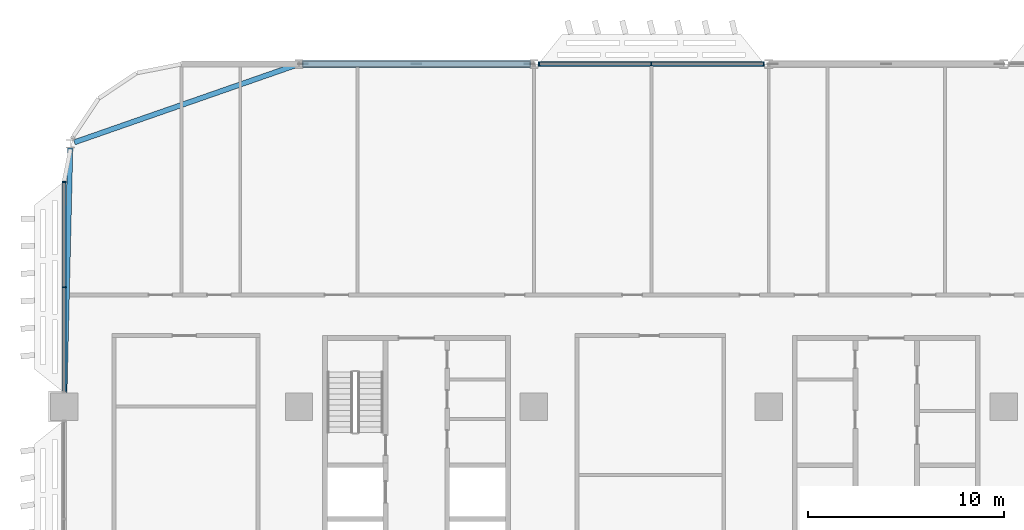
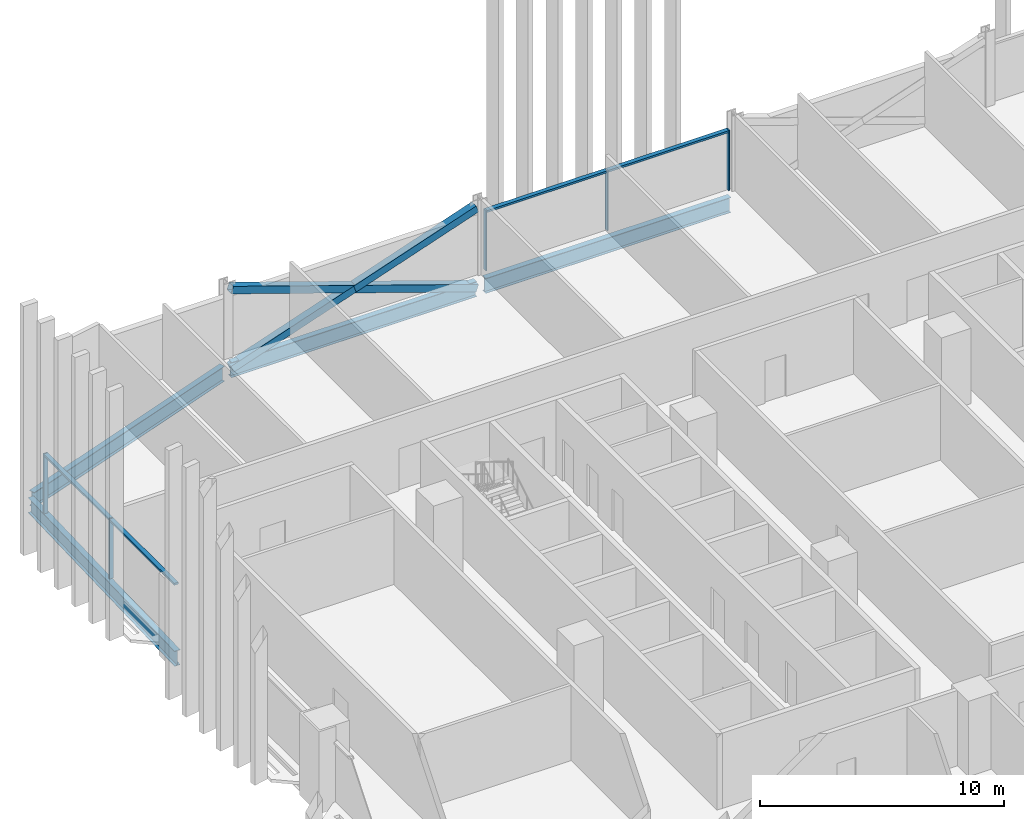
# One storey, part 6 of 31: 12 members, 4 beams, 2 elements without a shape of their own.
"""IFC4 building model written with IfcOpenShell, lengths in metres."""

import ifcopenshell
import ifcopenshell.guid

model = None  # the IFC model being written
_history = None  # IfcOwnerHistory: only IFC2X3 demands one
_inside = {}  # id of a spatial element -> (the spatial element, [elements in it])
_under = {}  # id of a project, library or spatial element -> (it, [spatial elements below it])
_declared = {}  # id of a project -> (the project, [libraries it declares])
_typed = {}  # id of a type object -> (the type object, [elements of that type])
_made_of = {}  # id of a material, layer set ... -> (it, [elements and type objects made of it])


def new_model(schema):
    """Start an empty IFC model of exactly this schema.

    Asked for "IFC4X3", IfcOpenShell would pick the latest addendum, in which some entities
    have other attributes; the version numbers below select the first issue.
    IFC2X3 requires an IfcOwnerHistory on every rooted entity: one is made here for all.
    """
    global model, _history
    if schema == "IFC4X3":
        model = ifcopenshell.file(schema_version=(4, 3, 0, 0))
    else:
        model = ifcopenshell.file(schema=schema)
    _inside.clear()
    _under.clear()
    _declared.clear()
    _typed.clear()
    _made_of.clear()
    _history = None
    if model.schema == "IFC2X3":
        org = make("IfcOrganization", Name="unknown")
        user = make(
            "IfcPersonAndOrganization",
            ThePerson=make("IfcPerson", FamilyName="unknown"),
            TheOrganization=org,
        )
        app = make(
            "IfcApplication",
            ApplicationDeveloper=org,
            Version="unknown",
            ApplicationFullName="unknown",
            ApplicationIdentifier="unknown",
        )
        _history = make(
            "IfcOwnerHistory",
            OwningUser=user,
            OwningApplication=app,
            ChangeAction="ADDED",
            CreationDate=0,
        )
    return model


def make(cls, **values):
    """One entity of the class cls with the attributes given. An attribute that is None is left unset."""
    return model.create_entity(
        cls, **{name: value for name, value in values.items() if value is not None}
    )


def rooted(cls, **values):
    """An entity with a GlobalId (a new one), such as an element, a storey or a relation."""
    return make(cls, GlobalId=ifcopenshell.guid.new(), OwnerHistory=_history, **values)


def si_unit(unit_type, name, prefix=None):
    """IfcSIUnit, for example si_unit("LENGTHUNIT", "METRE", prefix="MILLI")."""
    return make("IfcSIUnit", UnitType=unit_type, Prefix=prefix, Name=name)


def assignment(units):
    """IfcUnitAssignment: the units of a project."""
    return None if units is None else make("IfcUnitAssignment", Units=units)


def point(xyz):
    """IfcCartesianPoint."""
    return None if xyz is None else make("IfcCartesianPoint", Coordinates=xyz)


def direction(xyz):
    """IfcDirection."""
    return None if xyz is None else make("IfcDirection", DirectionRatios=xyz)


def frame(location, z_axis=None, x_axis=None):
    """IfcAxis2Placement3D, a coordinate frame: its origin and axes. An axis left out is left unset."""
    return make(
        "IfcAxis2Placement3D",
        Location=point(location),
        Axis=direction(z_axis),
        RefDirection=direction(x_axis),
    )


def frame_2d(location, x_axis=None):
    """IfcAxis2Placement2D, a coordinate frame in the plane: its origin and x axis."""
    return make(
        "IfcAxis2Placement2D", Location=point(location), RefDirection=direction(x_axis)
    )


def origin():
    """The frame at (0, 0, 0) with its axes left unset."""
    return frame((0.0, 0.0, 0.0))


def origin_2d():
    """The frame at (0, 0) in the plane with its x axis left unset."""
    return frame_2d((0.0, 0.0))


def place(relative_to, where):
    """IfcLocalPlacement: puts the frame where relative to a parent placement (None: the world)."""
    return make(
        "IfcLocalPlacement", PlacementRelTo=relative_to, RelativePlacement=where
    )


def context(
    kind, dimensions, precision=None, world=None, true_north=None, identifier=None
):
    """IfcGeometricRepresentationContext, for example the 3D "Model" context."""
    return make(
        "IfcGeometricRepresentationContext",
        ContextIdentifier=identifier,
        ContextType=kind,
        CoordinateSpaceDimension=dimensions,
        Precision=precision,
        WorldCoordinateSystem=world,
        TrueNorth=true_north,
    )


def subcontext(parent, identifier, kind, view, scale=None):
    """IfcGeometricRepresentationSubContext, for example "Body" below "Model"."""
    return make(
        "IfcGeometricRepresentationSubContext",
        ContextIdentifier=identifier,
        ContextType=kind,
        ParentContext=parent,
        TargetScale=scale,
        TargetView=view,
    )


def project(units=None, contexts=None):
    """IfcProject with its units and contexts."""
    return rooted(
        "IfcProject",
        Name="project",
        RepresentationContexts=contexts,
        UnitsInContext=assignment(units),
    )


def spatial(cls, under=None, at=None, **own):
    """A site, building, storey or space (cls), placed at a placement, below another one or the project."""
    s = rooted(cls, ObjectPlacement=at, **own)
    if under is not None:
        _under.setdefault(under.id(), (under, []))[1].append(s)
    return s


def profile(cls, at=None, kind="AREA", **sizes):
    """A parametric profile (cls). Its sizes go by their IFC names, for example OverallWidth=200.0."""
    return make(cls, ProfileType=kind, Position=at, **sizes)


def rectangle(**sizes):
    """IfcRectangleProfileDef."""
    return profile("IfcRectangleProfileDef", **sizes)


def hollow_rectangle(**sizes):
    """IfcRectangleHollowProfileDef."""
    return profile("IfcRectangleHollowProfileDef", **sizes)


def i_section(**sizes):
    """IfcIShapeProfileDef."""
    return profile("IfcIShapeProfileDef", **sizes)


def extrude(swept, where, along, depth):
    """IfcExtrudedAreaSolid: the profile swept, set in the frame where, extruded along a direction by depth."""
    return make(
        "IfcExtrudedAreaSolid",
        SweptArea=swept,
        Position=where,
        ExtrudedDirection=direction(along),
        Depth=depth,
    )


def shape(context_of_items, identifier, shape_type, items):
    """IfcShapeRepresentation: the items that make up one representation, for example the "Body"."""
    return make(
        "IfcShapeRepresentation",
        ContextOfItems=context_of_items,
        RepresentationIdentifier=identifier,
        RepresentationType=shape_type,
        Items=items,
    )


def material(Name=None, Category=None):
    """IfcMaterial."""
    return make("IfcMaterial", Name=Name, Category=Category)


def material_profile(
    of_material, cross_section, Name=None, Category=None, Priority=None
):
    """IfcMaterialProfile: a cross section and its material."""
    return make(
        "IfcMaterialProfile",
        Name=Name,
        Material=of_material,
        Profile=cross_section,
        Priority=Priority,
        Category=Category,
    )


def profile_set(profiles, Name=None, composite=None):
    """IfcMaterialProfileSet."""
    return make(
        "IfcMaterialProfileSet",
        Name=Name,
        MaterialProfiles=profiles,
        CompositeProfile=composite,
    )


def made_of(thing, what):
    """Note that an element or type object is made of a material, layer set ...; save() writes the relation."""
    if what is not None:
        _made_of.setdefault(what.id(), (what, []))[1].append(thing)
    return thing


def type_object(cls, material=None, **own):
    """A type object (cls), such as IfcWallType, which elements share."""
    return made_of(rooted(cls, **own), material)


def element(
    cls,
    number,
    at=None,
    inside=None,
    cuts=None,
    type_object=None,
    material=None,
    context=None,
    identifier="Body",
    shape_type=None,
    held_by="IfcProductDefinitionShape",
    body=None,
    shapes=None,
    **own,
):
    """One element of the class cls, such as IfcWall. Its Tag is "e" and its number.

    at: its placement. inside: the storey or other place that contains it. cuts: it is an
    opening in that element (IfcRelVoidsElement). A single representation is given by context,
    identifier, shape_type and body (its items); several are given by shapes. held_by: the class
    of the entity that holds the representations. save() writes the other relations.
    """
    e = rooted(cls, Tag="e%d" % number, ObjectPlacement=at, **own)
    if body is not None:
        shapes = [shape(context, identifier, shape_type, body)]
    if shapes is not None:
        e.Representation = make(held_by, Representations=shapes)
    if inside is not None:
        _inside.setdefault(inside.id(), (inside, []))[1].append(e)
    if cuts is not None:
        rooted(
            "IfcRelVoidsElement", RelatingBuildingElement=cuts, RelatedOpeningElement=e
        )
    if type_object is not None:
        _typed.setdefault(type_object.id(), (type_object, []))[1].append(e)
    return made_of(e, material)


def aggregate(whole, parts):
    """IfcRelAggregates: a whole, such as a stair, and the parts it consists of."""
    return rooted("IfcRelAggregates", RelatingObject=whole, RelatedObjects=parts)


def save(model, path):
    """Write the relations noted so far, then the file.

    IfcRelAggregates (storeys below a building ...), IfcRelContainedInSpatialStructure (elements
    in a storey), IfcRelDefinesByType, IfcRelAssociatesMaterial and IfcRelDeclares: one each for
    every whole, place, type object, material and project.
    """
    for whole, parts in _under.values():
        aggregate(whole, parts)
    for where, things in _inside.values():
        rooted(
            "IfcRelContainedInSpatialStructure",
            RelatedElements=things,
            RelatingStructure=where,
        )
    for kind, things in _typed.values():
        rooted("IfcRelDefinesByType", RelatedObjects=things, RelatingType=kind)
    for what, things in _made_of.values():
        rooted("IfcRelAssociatesMaterial", RelatedObjects=things, RelatingMaterial=what)
    for by, libraries in _declared.values():
        rooted("IfcRelDeclares", RelatingContext=by, RelatedDefinitions=libraries)
    model.write(path)


model = new_model("IFC4")

# Units and contexts
model_context = context("Model", 3, precision=1e-05, world=origin(), true_north=direction((0.0, 1.0)))
body_context = subcontext(model_context, "Body", "Model", "MODEL_VIEW")
ifc_project = project(units=[si_unit("LENGTHUNIT", "METRE"), si_unit("AREAUNIT", "SQUARE_METRE"), si_unit("VOLUMEUNIT", "CUBIC_METRE"), si_unit("PLANEANGLEUNIT", "RADIAN"), si_unit("MASSUNIT", "GRAM", prefix="KILO")], contexts=[model_context])

# Site, building, storey
site_placement = place(None, origin())
site = spatial("IfcSite", under=ifc_project, at=site_placement, CompositionType="ELEMENT")
building_placement = place(site_placement, origin())
building = spatial("IfcBuilding", under=site, at=building_placement, Name="Mahtab Terrace Research Tower", CompositionType="ELEMENT")
storey_placement = place(building_placement, frame((0.0, 0.0, 101.199951171875)))
storey = spatial("IfcBuildingStorey", under=building, at=storey_placement, Name="L23", CompositionType="ELEMENT", Elevation=101.199951171875)

# Members
ifc_material_1 = material(Name="Steel ASTM A500 Gr C", Category="steel")
ifc_material_profile_1 = material_profile(ifc_material_1, hollow_rectangle(XDim=0.355712890625, YDim=0.355712890625, WallThickness=0.01904296875, at=origin_2d()), Name="HSS14X14X3/4")
ifc_profile_set_1 = profile_set([ifc_material_profile_1], Name="Steel ASTM A500 Gr C")
member_type_1 = type_object("IfcMemberType", Name="HSS 14x14x3/4 brace XB141434", PredefinedType="BRACE", material=ifc_profile_set_1)
member_1_placement = place(storey_placement, frame((-18.20947265625, 29.0, -0.646728515625), z_axis=(-0.946292853795, 0.0, 0.323310740397), x_axis=(0.0, -1.0, 0.0)))
element("IfcMember", 1, at=member_1_placement, inside=storey, type_object=member_type_1, Name="Exoskeleton brace L23 07 a", PredefinedType="BRACE", context=body_context, shape_type="SweptSolid", body=[
    extrude(hollow_rectangle(XDim=0.355712890625, YDim=0.355712890625, WallThickness=0.01904296875, at=origin_2d()), origin(), (0.0, 0.0, 1.0), 12.23828125),
])
for number, where, z_axis, x_axis, name in (
    (2, (-29.79052734375, 29.0, -0.646728515625), (0.946298956945, 0.0, 0.323292876639), (0.0, 1.0, 0.0), "Exoskeleton brace L23 07 b1"),
    (3, (-24.0, 29.0, 1.33154296875), (0.946286750388, 0.0, 0.323328603809), (0.0, 1.0, 0.0), "Exoskeleton brace L23 07 b2"),
):
    element("IfcMember", number, at=place(storey_placement, frame(where, z_axis=z_axis, x_axis=x_axis)), inside=storey, type_object=member_type_1, Name=name, PredefinedType="BRACE", context=body_context, shape_type="SweptSolid", body=[
        extrude(hollow_rectangle(XDim=0.355712890625, YDim=0.355712890625, WallThickness=0.01904296875, at=origin_2d()), origin(), (0.0, 0.0, 1.0), 6.119140625),
    ])

# Curtain wall, members
ifc_material_2 = material(Name="Laboratory ribbon curtain wall")
curtain_wall_type = type_object("IfcCurtainWallType", Name="Laboratory ribbon curtain wall", PredefinedType="NOTDEFINED", material=ifc_material_2)
curtain_wall_1_placement = place(storey_placement, origin())
curtain_wall_1 = element("IfcCurtainWall", 4, at=curtain_wall_1_placement, inside=storey, type_object=curtain_wall_type, Name="EN.L23.3.8", PredefinedType="NOTDEFINED")
ifc_material_3 = material(Name="Natural anodised aluminium", Category="aluminium")
ifc_material_profile_2 = material_profile(ifc_material_3, rectangle(XDim=0.199951171875, YDim=0.06494140625, at=origin_2d()), Name="MULLION 65x200")
ifc_profile_set_2 = profile_set([ifc_material_profile_2], Name="Natural anodised aluminium")
member_type_2 = type_object("IfcMemberType", Name="Laboratory ribbon curtain wall mullion", PredefinedType="MULLION", material=ifc_profile_set_2)
member_2_placement = place(storey_placement, frame((-6.260498046875, 29.0, 0.0), z_axis=(0.0, 0.0, 1.0), x_axis=(0.0, -1.0, 0.0)))
member_2 = element("IfcMember", 5, at=member_2_placement, type_object=member_type_2, Name="CWL-3 mullion 1", PredefinedType="MULLION", context=body_context, shape_type="SweptSolid", body=[
    extrude(rectangle(XDim=0.199951171875, YDim=0.06494140625, at=origin_2d()), origin(), (0.0, 0.0, 1.0), 3.003173828125),
])
member_3_placement = place(storey_placement, frame((-12.0, 29.0, 0.0), z_axis=(0.0, 0.0, 1.0), x_axis=(0.0, -1.0, 0.0)))
member_3 = element("IfcMember", 6, at=member_3_placement, type_object=member_type_2, Name="CWL-3 mullion 2", PredefinedType="MULLION", context=body_context, shape_type="SweptSolid", body=[
    extrude(rectangle(XDim=0.199951171875, YDim=0.06494140625, at=origin_2d()), origin(), (0.0, 0.0, 1.0), 3.003173828125),
])
member_4_placement = place(storey_placement, frame((-17.739501953125, 29.0, 0.0), z_axis=(0.0, 0.0, 1.0), x_axis=(0.0, -1.0, 0.0)))
member_4 = element("IfcMember", 7, at=member_4_placement, type_object=member_type_2, Name="CWL-3 mullion 3", PredefinedType="MULLION", context=body_context, shape_type="SweptSolid", body=[
    extrude(rectangle(XDim=0.199951171875, YDim=0.06494140625, at=origin_2d()), origin(), (0.0, 0.0, 1.0), 3.003173828125),
])

curtain_wall_2_placement = place(storey_placement, origin())
curtain_wall_2 = element("IfcCurtainWall", 8, at=curtain_wall_2_placement, inside=storey, type_object=curtain_wall_type, Name="EN.L23.8.16", PredefinedType="NOTDEFINED")
member_5_placement = place(storey_placement, frame((-42.0, 22.967529296875, 0.0), z_axis=(0.0, 0.0, 1.0), x_axis=(1.0, 0.0, 0.0)))
member_5 = element("IfcMember", 9, at=member_5_placement, type_object=member_type_2, Name="CWL-3 mullion 1", PredefinedType="MULLION", context=body_context, shape_type="SweptSolid", body=[
    extrude(rectangle(XDim=0.199951171875, YDim=0.06494140625, at=origin_2d()), origin(), (0.0, 0.0, 1.0), 3.003173828125),
])
member_6_placement = place(storey_placement, frame((-42.0, 17.60009765625, 0.0), z_axis=(0.0, 0.0, 1.0), x_axis=(1.0, 0.0, 0.0)))
member_6 = element("IfcMember", 10, at=member_6_placement, type_object=member_type_2, Name="CWL-3 mullion 2", PredefinedType="MULLION", context=body_context, shape_type="SweptSolid", body=[
    extrude(rectangle(XDim=0.199951171875, YDim=0.06494140625, at=origin_2d()), origin(), (0.0, 0.0, 1.0), 3.003173828125),
])

# Member
ifc_material_profile_3 = material_profile(ifc_material_3, rectangle(XDim=0.199951171875, YDim=0.10009765625, at=origin_2d()), Name="TRANSOM 100x200")
ifc_profile_set_3 = profile_set([ifc_material_profile_3], Name="Natural anodised aluminium")
member_type_3 = type_object("IfcMemberType", Name="Laboratory ribbon curtain wall transom", PredefinedType="USERDEFINED", material=ifc_profile_set_3)
member_7_placement = place(storey_placement, frame((-6.29296875, 29.0, 2.953125), z_axis=(-1.0, 0.0, 0.0), x_axis=(0.0, -1.0, 0.0)))
member_7 = element("IfcMember", 11, at=member_7_placement, type_object=member_type_3, Name="CWL-3 transom 1", ObjectType="TRANSOM", PredefinedType="USERDEFINED", context=body_context, shape_type="SweptSolid", body=[
    extrude(rectangle(XDim=0.199951171875, YDim=0.10009765625, at=origin_2d()), origin(), (0.0, 0.0, 1.0), 5.674560546875),
])

member_8_placement = place(storey_placement, frame((-12.032470703125, 29.0, 2.953125), z_axis=(-1.0, 0.0, 0.0), x_axis=(0.0, -1.0, 0.0)))
member_8 = element("IfcMember", 12, at=member_8_placement, type_object=member_type_3, Name="CWL-3 transom 2", ObjectType="TRANSOM", PredefinedType="USERDEFINED", context=body_context, shape_type="SweptSolid", body=[
    extrude(rectangle(XDim=0.199951171875, YDim=0.10009765625, at=origin_2d()), origin(), (0.0, 0.0, 1.0), 5.674560546875),
])

aggregate(curtain_wall_1, [member_2, member_3, member_4, member_7, member_8])

member_9_placement = place(storey_placement, frame((-42.0, 22.93505859375, 2.953125), z_axis=(0.0, -1.0, 0.0), x_axis=(1.0, 0.0, 0.0)))
member_9 = element("IfcMember", 13, at=member_9_placement, type_object=member_type_3, Name="CWL-3 transom 1", ObjectType="TRANSOM", PredefinedType="USERDEFINED", context=body_context, shape_type="SweptSolid", body=[
    extrude(rectangle(XDim=0.199951171875, YDim=0.10009765625, at=origin_2d()), origin(), (0.0, 0.0, 1.0), 5.302490234375),
])

member_10_placement = place(storey_placement, frame((-42.0, 17.5673828125, 2.953125), z_axis=(0.0, -1.0, 0.0), x_axis=(1.0, 0.0, 0.0)))
member_10 = element("IfcMember", 14, at=member_10_placement, type_object=member_type_3, Name="CWL-3 transom 2", ObjectType="TRANSOM", PredefinedType="USERDEFINED", context=body_context, shape_type="SweptSolid", body=[
    extrude(rectangle(XDim=0.199951171875, YDim=0.10009765625, at=origin_2d()), origin(), (0.0, 0.0, 1.0), 5.302490234375),
])

aggregate(curtain_wall_2, [member_5, member_6, member_9, member_10])

# Beams
ifc_material_4 = material(Name="Steel ASTM A992 Gr 50", Category="steel")
ifc_material_profile_4 = material_profile(ifc_material_4, i_section(OverallWidth=0.2666015625, OverallDepth=0.7568359375, WebThickness=0.013916015625, FlangeThickness=0.019287109375, at=origin_2d()), Name="W30X108")
ifc_profile_set_4 = profile_set([ifc_material_profile_4], Name="Steel ASTM A992 Gr 50")
beam_type = type_object("IfcBeamType", Name="W30x108 beam BS30108", PredefinedType="BEAM", material=ifc_profile_set_4)
for number, where, z_axis, x_axis, name in (
    (15, (-6.20947265625, 29.0, -0.718505859375), (-1.0, 0.0, 0.0), (0.0, -1.0, 0.0), "Spandrel beam L23 06"),
    (16, (-18.20947265625, 29.0, -0.718505859375), (-1.0, 0.0, 0.0), (0.0, -1.0, 0.0), "Spandrel beam L23 07"),
):
    element("IfcBeam", number, at=place(storey_placement, frame(where, z_axis=z_axis, x_axis=x_axis)), inside=storey, type_object=beam_type, Name=name, PredefinedType="BEAM", context=body_context, shape_type="SweptSolid", body=[
        extrude(i_section(OverallWidth=0.2666015625, OverallDepth=0.7568359375, WebThickness=0.013916015625, FlangeThickness=0.019287109375, at=origin_2d()), origin(), (0.0, 0.0, 1.0), 11.5810546875),
    ])
beam_1_placement = place(storey_placement, frame((-30.20947265625, 28.927001953125, -0.718505859375), z_axis=(-0.944250501583, -0.32922786981, 0.0), x_axis=(0.32922786981, -0.944250501583, 0.0)))
element("IfcBeam", 17, at=beam_1_placement, inside=storey, type_object=beam_type, Name="Spandrel beam L23 08", PredefinedType="BEAM", context=body_context, shape_type="SweptSolid", body=[
    extrude(i_section(OverallWidth=0.2666015625, OverallDepth=0.7568359375, WebThickness=0.013916015625, FlangeThickness=0.019287109375, at=origin_2d()), origin(), (0.0, 0.0, 1.0), 11.927978515625),
])
beam_2_placement = place(storey_placement, frame((-41.6875, 24.69970703125, -0.718505859375), z_axis=(-0.02366570739, -0.999719927927, 0.0), x_axis=(0.999719927927, -0.02366570739, 0.0)))
element("IfcBeam", 18, at=beam_2_placement, inside=storey, type_object=beam_type, Name="Spandrel beam L23 09", PredefinedType="BEAM", context=body_context, shape_type="SweptSolid", body=[
    extrude(i_section(OverallWidth=0.2666015625, OverallDepth=0.7568359375, WebThickness=0.013916015625, FlangeThickness=0.019287109375, at=origin_2d()), origin(), (0.0, 0.0, 1.0), 12.503173828125),
])

save(model, "model.ifc")
